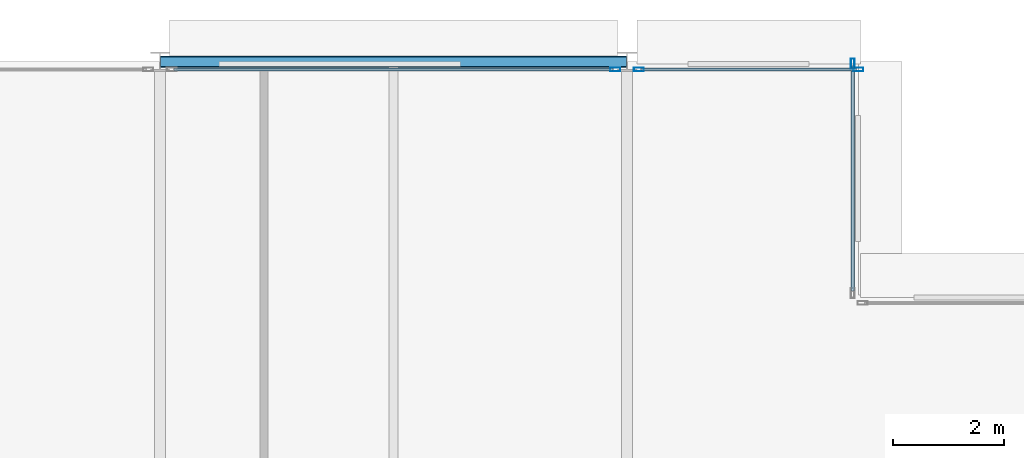
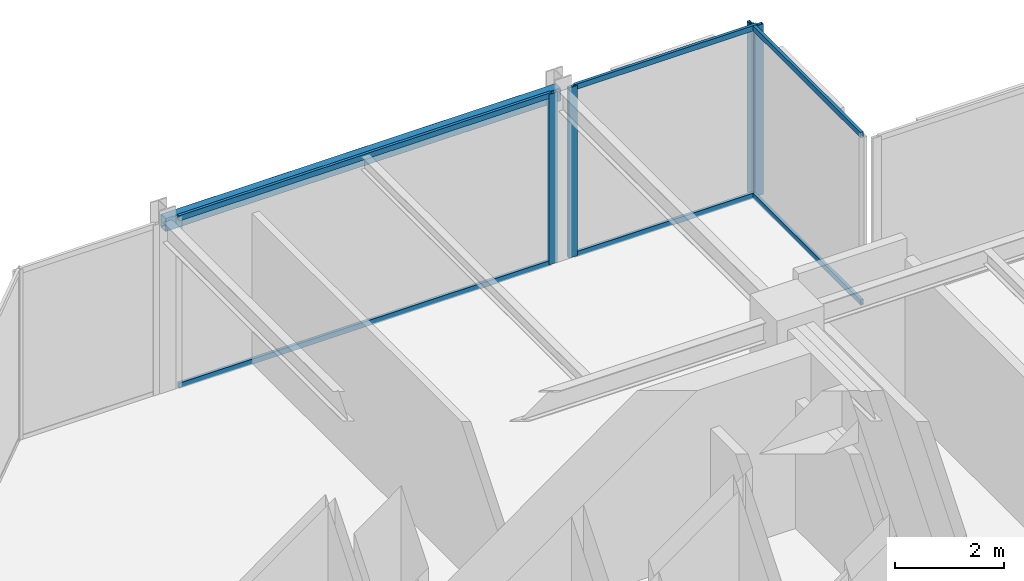
# One storey, part 21 of 29: 10 members, 1 beam, 3 elements without a shape of their own.
"""IFC4 building model written with IfcOpenShell, lengths in metres."""

from ifc_helpers import new_model, si_unit, direction, frame, origin, origin_2d, place, context, subcontext, project, spatial, hollow_rectangle, extrude, material, layer, layer_set, material_profile, profile_set, type_object, element, aggregate, save


model = new_model("IFC4")

# Units and contexts
model_context = context("Model", 3, precision=1e-05, world=origin(), true_north=direction((0.0, 1.0)))
body_context = subcontext(model_context, "Body", "Model", "MODEL_VIEW")
ifc_project = project(units=[si_unit("LENGTHUNIT", "METRE"), si_unit("AREAUNIT", "SQUARE_METRE"), si_unit("VOLUMEUNIT", "CUBIC_METRE"), si_unit("PLANEANGLEUNIT", "RADIAN"), si_unit("MASSUNIT", "GRAM", prefix="KILO")], contexts=[model_context])

# Site, building, storey
site_placement = place(None, origin())
site = spatial("IfcSite", under=ifc_project, at=site_placement, CompositionType="ELEMENT")
building_placement = place(site_placement, origin())
building = spatial("IfcBuilding", under=site, at=building_placement, Name="Nerrivon Quay Data Exchange", CompositionType="ELEMENT")
storey_placement = place(building_placement, frame((0.0, 0.0, 179.60009765625)))
storey = spatial("IfcBuildingStorey", under=building, at=storey_placement, Name="L42", CompositionType="ELEMENT", Elevation=179.60009765625)

# Beam
ifc_material_1 = material(Name="Steel Grade C350L0 (350 MPa)", Category="steel")
ifc_material_profile_1 = material_profile(ifc_material_1, hollow_rectangle(XDim=0.199951171875, YDim=0.300048828125, WallThickness=0.012451171875, InnerFilletRadius=0.018798828125, OuterFilletRadius=0.03125, at=origin_2d()), Name="300x200x12.5RHS")
ifc_profile_set_1 = profile_set([ifc_material_profile_1], Name="Steel Grade C350L0 (350 MPa)")
beam_type = type_object("IfcBeamType", Name="BM-SP3-300x200RHS", PredefinedType="SPANDREL", material=ifc_profile_set_1)
beam_placement = place(storey_placement, frame((8.409912109375, 50.39990234375, 3.6748046875), z_axis=(1.0, 0.0, 0.0), x_axis=(0.0, 1.0, 0.0)))
element("IfcBeam", 1, at=beam_placement, inside=storey, type_object=beam_type, Name="L42 EW Girder Y=50.4 (8.4..16.8)", PredefinedType="SPANDREL", context=body_context, shape_type="SweptSolid", body=[
    extrude(hollow_rectangle(XDim=0.199951171875, YDim=0.300048828125, WallThickness=0.012451171875, InnerFilletRadius=0.018798828125, OuterFilletRadius=0.03125, at=origin_2d()), origin(), (0.0, 0.0, 1.0), 8.380126953125),
])

# Curtain wall, member
ifc_material_2 = material(Name="Anodised aluminium 6063-T6", Category="aluminium")
ifc_layer = layer(ifc_material_2, 0.195068359375)
ifc_layer_set = layer_set([ifc_layer], Name="Anodised aluminium 6063-T6")
curtain_wall_type = type_object("IfcCurtainWallType", Name="CW-SYS-06", PredefinedType="NOTDEFINED", material=ifc_layer_set)
curtain_wall_1_placement = place(storey_placement, origin())
curtain_wall_1 = element("IfcCurtainWall", 2, at=curtain_wall_1_placement, inside=storey, type_object=curtain_wall_type, Name="L42 Unitised Curtain Wall 9", PredefinedType="NOTDEFINED")
ifc_material_profile_2 = material_profile(ifc_material_2, hollow_rectangle(XDim=0.06494140625, YDim=0.179931640625, WallThickness=0.00341796875, at=origin_2d()), Name="ALU-MULL-180x65")
ifc_profile_set_2 = profile_set([ifc_material_profile_2], Name="Anodised aluminium 6063-T6")
member_type_1 = type_object("IfcMemberType", Name="CWM-180x65", PredefinedType="MULLION", material=ifc_profile_set_2)
member_1_placement = place(storey_placement, frame((16.58740234375, 50.260009765625, 0.0), z_axis=(0.0, 0.0, 1.0), x_axis=(0.0, 1.0, 0.0)))
member_1 = element("IfcMember", 3, at=member_1_placement, type_object=member_type_1, Name="CW06 mullion 2", PredefinedType="MULLION", context=body_context, shape_type="SweptSolid", body=[
    extrude(hollow_rectangle(XDim=0.06494140625, YDim=0.179931640625, WallThickness=0.00341796875, at=origin_2d()), origin(), (0.0, 0.0, 1.0), 3.824951171875),
])

# Curtain wall, members
curtain_wall_2_placement = place(storey_placement, origin())
curtain_wall_2 = element("IfcCurtainWall", 4, at=curtain_wall_2_placement, inside=storey, type_object=curtain_wall_type, Name="L42 Unitised Curtain Wall 10", PredefinedType="NOTDEFINED")
member_2_placement = place(storey_placement, frame((17.012451171875, 50.260009765625, 0.0), z_axis=(0.0, 0.0, 1.0), x_axis=(0.0, 1.0, 0.0)))
member_2 = element("IfcMember", 5, at=member_2_placement, type_object=member_type_1, Name="CW06 mullion 1", PredefinedType="MULLION", context=body_context, shape_type="SweptSolid", body=[
    extrude(hollow_rectangle(XDim=0.06494140625, YDim=0.179931640625, WallThickness=0.00341796875, at=origin_2d()), origin(), (0.0, 0.0, 1.0), 3.824951171875),
])
member_3_placement = place(storey_placement, frame((20.96240234375, 50.260009765625, 0.0), z_axis=(0.0, 0.0, 1.0), x_axis=(0.0, 1.0, 0.0)))
member_3 = element("IfcMember", 6, at=member_3_placement, type_object=member_type_1, Name="CW06 mullion 2", PredefinedType="MULLION", context=body_context, shape_type="SweptSolid", body=[
    extrude(hollow_rectangle(XDim=0.06494140625, YDim=0.179931640625, WallThickness=0.00341796875, at=origin_2d()), origin(), (0.0, 0.0, 1.0), 3.824951171875),
])

# Curtain wall, member
curtain_wall_3_placement = place(storey_placement, origin())
curtain_wall_3 = element("IfcCurtainWall", 7, at=curtain_wall_3_placement, inside=storey, type_object=curtain_wall_type, Name="L42 Unitised Curtain Wall 11", PredefinedType="NOTDEFINED")
member_4_placement = place(storey_placement, frame((20.860107421875, 50.362548828125, 0.0), z_axis=(0.0, 0.0, 1.0), x_axis=(1.0, 0.0, 0.0)))
member_4 = element("IfcMember", 8, at=member_4_placement, type_object=member_type_1, Name="CW06 mullion 1", PredefinedType="MULLION", context=body_context, shape_type="SweptSolid", body=[
    extrude(hollow_rectangle(XDim=0.06494140625, YDim=0.179931640625, WallThickness=0.00341796875, at=origin_2d()), origin(), (0.0, 0.0, 1.0), 3.824951171875),
])

# Member
ifc_material_profile_3 = material_profile(ifc_material_2, hollow_rectangle(XDim=0.06005859375, YDim=0.1201171875, WallThickness=0.003173828125, at=origin_2d()), Name="ALU-TRAN-120x60")
ifc_profile_set_3 = profile_set([ifc_material_profile_3], Name="Anodised aluminium 6063-T6")
member_type_2 = type_object("IfcMemberType", Name="CWT-120x60", PredefinedType="USERDEFINED", material=ifc_profile_set_3)
member_5_placement = place(storey_placement, frame((8.64990234375, 50.260009765625, 0.032470703125), z_axis=(1.0, 0.0, 0.0), x_axis=(0.0, 1.0, 0.0)))
member_5 = element("IfcMember", 9, at=member_5_placement, type_object=member_type_2, Name="CW06 transom 1.1", ObjectType="TRANSOM", PredefinedType="USERDEFINED", context=body_context, shape_type="SweptSolid", body=[
    extrude(hollow_rectangle(XDim=0.06005859375, YDim=0.1201171875, WallThickness=0.003173828125, at=origin_2d()), origin(), (0.0, 0.0, 1.0), 7.900146484375),
])

member_6_placement = place(storey_placement, frame((8.64990234375, 50.260009765625, 3.79248046875), z_axis=(1.0, 0.0, 0.0), x_axis=(0.0, 1.0, 0.0)))
member_6 = element("IfcMember", 10, at=member_6_placement, type_object=member_type_2, Name="CW06 transom 1.2", ObjectType="TRANSOM", PredefinedType="USERDEFINED", context=body_context, shape_type="SweptSolid", body=[
    extrude(hollow_rectangle(XDim=0.06005859375, YDim=0.1201171875, WallThickness=0.003173828125, at=origin_2d()), origin(), (0.0, 0.0, 1.0), 7.900146484375),
])

aggregate(curtain_wall_1, [member_1, member_5, member_6])

member_7_placement = place(storey_placement, frame((17.050048828125, 50.260009765625, 0.032470703125), z_axis=(1.0, 0.0, 0.0), x_axis=(0.0, 1.0, 0.0)))
member_7 = element("IfcMember", 11, at=member_7_placement, type_object=member_type_2, Name="CW06 transom 1.1", ObjectType="TRANSOM", PredefinedType="USERDEFINED", context=body_context, shape_type="SweptSolid", body=[
    extrude(hollow_rectangle(XDim=0.06005859375, YDim=0.1201171875, WallThickness=0.003173828125, at=origin_2d()), origin(), (0.0, 0.0, 1.0), 3.875),
])

member_8_placement = place(storey_placement, frame((17.050048828125, 50.260009765625, 3.79248046875), z_axis=(1.0, 0.0, 0.0), x_axis=(0.0, 1.0, 0.0)))
member_8 = element("IfcMember", 12, at=member_8_placement, type_object=member_type_2, Name="CW06 transom 1.2", ObjectType="TRANSOM", PredefinedType="USERDEFINED", context=body_context, shape_type="SweptSolid", body=[
    extrude(hollow_rectangle(XDim=0.06005859375, YDim=0.1201171875, WallThickness=0.003173828125, at=origin_2d()), origin(), (0.0, 0.0, 1.0), 3.875),
])

aggregate(curtain_wall_2, [member_2, member_3, member_7, member_8])

member_9_placement = place(storey_placement, frame((20.860107421875, 50.324951171875, 0.032470703125), z_axis=(0.0, -1.0, 0.0), x_axis=(1.0, 0.0, 0.0)))
member_9 = element("IfcMember", 13, at=member_9_placement, type_object=member_type_2, Name="CW06 transom 1.1", ObjectType="TRANSOM", PredefinedType="USERDEFINED", context=body_context, shape_type="SweptSolid", body=[
    extrude(hollow_rectangle(XDim=0.06005859375, YDim=0.1201171875, WallThickness=0.003173828125, at=origin_2d()), origin(), (0.0, 0.0, 1.0), 4.050048828125),
])

member_10_placement = place(storey_placement, frame((20.860107421875, 50.324951171875, 3.79248046875), z_axis=(0.0, -1.0, 0.0), x_axis=(1.0, 0.0, 0.0)))
member_10 = element("IfcMember", 14, at=member_10_placement, type_object=member_type_2, Name="CW06 transom 1.2", ObjectType="TRANSOM", PredefinedType="USERDEFINED", context=body_context, shape_type="SweptSolid", body=[
    extrude(hollow_rectangle(XDim=0.06005859375, YDim=0.1201171875, WallThickness=0.003173828125, at=origin_2d()), origin(), (0.0, 0.0, 1.0), 4.050048828125),
])

aggregate(curtain_wall_3, [member_4, member_9, member_10])

save(model, "model.ifc")
